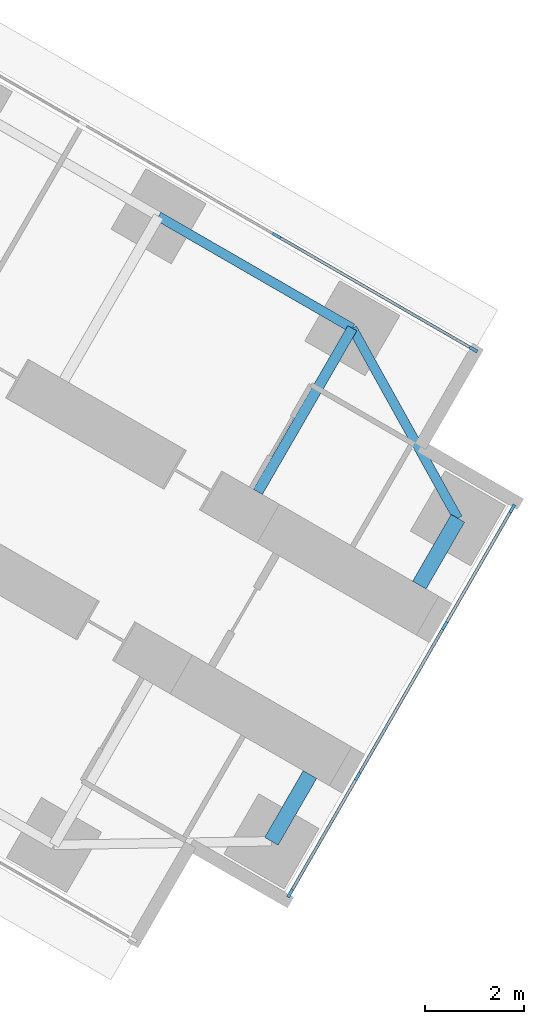
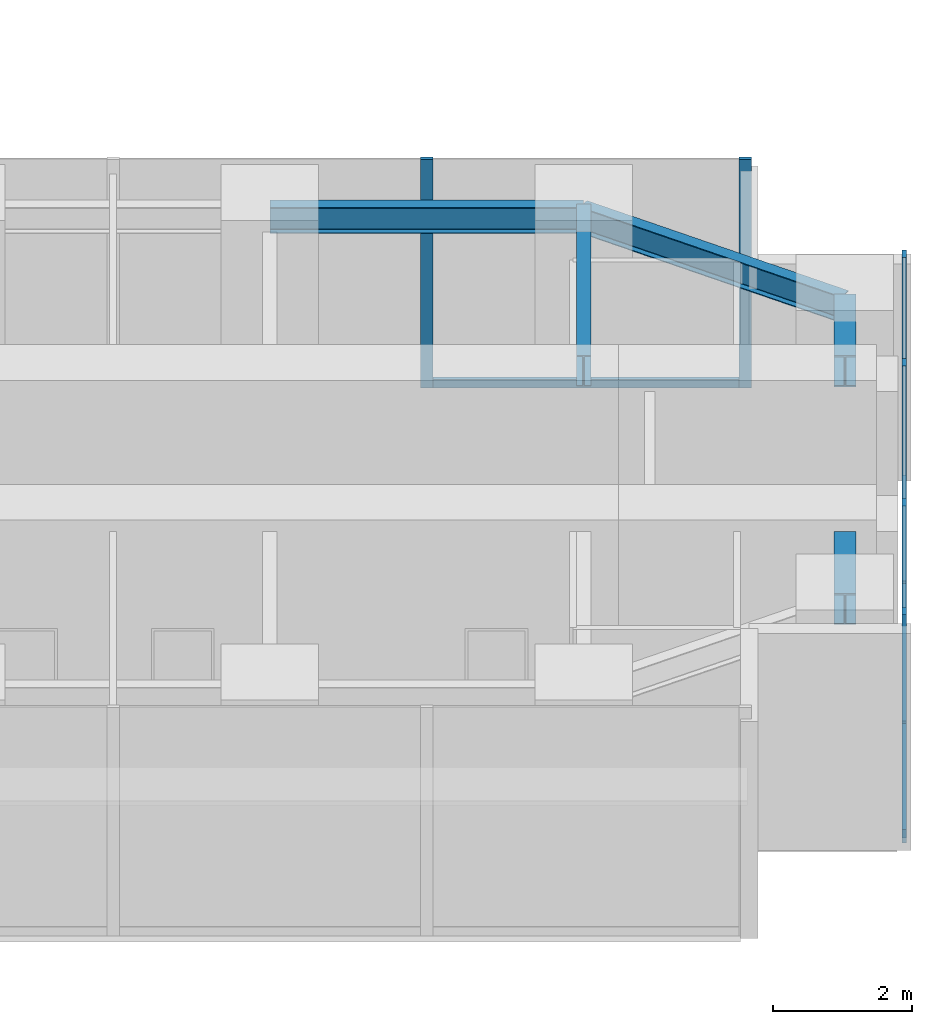
# One storey, part 12 of 25: 10 members, 5 beams, 2 elements without a shape of their own.
"""IFC4 building model written with IfcOpenShell, lengths in metres."""

from ifc_helpers import new_model, si_unit, direction, frame, origin, origin_2d, place, context, subcontext, project, spatial, rectangle, i_section, extrude, material, material_profile, profile_set, type_object, element, aggregate, save


model = new_model("IFC4")

# Units and contexts
model_context = context("Model", 3, precision=1e-05, world=origin(), true_north=direction((0.0, 1.0)))
body_context = subcontext(model_context, "Body", "Model", "MODEL_VIEW")
ifc_project = project(units=[si_unit("LENGTHUNIT", "METRE"), si_unit("AREAUNIT", "SQUARE_METRE"), si_unit("VOLUMEUNIT", "CUBIC_METRE"), si_unit("PLANEANGLEUNIT", "RADIAN"), si_unit("MASSUNIT", "GRAM", prefix="KILO")], contexts=[model_context])

# Site, building, storey
site_placement = place(None, origin())
site = spatial("IfcSite", under=ifc_project, at=site_placement, CompositionType="ELEMENT")
building_placement = place(site_placement, origin())
building = spatial("IfcBuilding", under=site, at=building_placement, Name="Upepo Twin Towers", CompositionType="ELEMENT")
storey_placement = place(building_placement, frame((0.0, 0.0, 72.5)))
storey = spatial("IfcBuildingStorey", under=building, at=storey_placement, Name="L17", CompositionType="ELEMENT", Elevation=72.5)

# Beams
ifc_material_1 = material(Name="Steel S355", Category="steel")
ifc_material_profile_1 = material_profile(ifc_material_1, i_section(OverallWidth=0.1904296875, OverallDepth=0.45703125, WebThickness=0.009033203125, FlangeThickness=0.014404296875, FilletRadius=0.01025390625, at=origin_2d()), Name="UB 457x191x74")
ifc_profile_set_1 = profile_set([ifc_material_profile_1], Name="Steel S355")
beam_type_1 = type_object("IfcBeamType", Name="Beam UB 457x191x74", PredefinedType="BEAM", material=ifc_profile_set_1)
beam_1_placement = place(storey_placement, frame((77.08837890625, -21.803955078125, 3.571533203125), z_axis=(0.866031096941, -0.499990139034, 0.0), x_axis=(0.499990139034, 0.866031096941, 0.0)))
element("IfcBeam", 1, at=beam_1_placement, inside=storey, type_object=beam_type_1, Name="T2 edge beam CL 18.0-22.5", PredefinedType="BEAM", context=body_context, shape_type="SweptSolid", body=[
    extrude(i_section(OverallWidth=0.1904296875, OverallDepth=0.45703125, WebThickness=0.009033203125, FlangeThickness=0.014404296875, FilletRadius=0.01025390625, at=origin_2d()), origin(), (0.0, 0.0, 1.0), 4.5),
])
beam_2_placement = place(storey_placement, frame((80.985595703125, -24.053955078125, 3.571533203125), z_axis=(0.485363242752, -0.874312600038, 0.0), x_axis=(0.874312600038, 0.485363242752, 0.0)))
element("IfcBeam", 2, at=beam_2_placement, inside=storey, type_object=beam_type_1, Name="T2 nose edge beam CL", PredefinedType="BEAM", context=body_context, shape_type="SweptSolid", body=[
    extrude(i_section(OverallWidth=0.1904296875, OverallDepth=0.45703125, WebThickness=0.009033203125, FlangeThickness=0.014404296875, FilletRadius=0.01025390625, at=origin_2d()), origin(), (0.0, 0.0, 1.0), 4.373046875),
])
ifc_material_2 = material(Name="Steel S355", Category="steel")
ifc_material_profile_2 = material_profile(ifc_material_2, i_section(OverallWidth=0.209228515625, OverallDepth=0.533203125, WebThickness=0.010009765625, FlangeThickness=0.015625, FilletRadius=0.0126953125, at=origin_2d()), Name="UB 533x210x92")
ifc_profile_set_2 = profile_set([ifc_material_profile_2], Name="Steel S355")
beam_type_2 = type_object("IfcBeamType", Name="Beam UB 533x210x92", PredefinedType="BEAM", material=ifc_profile_set_2)
beam_3_placement = place(storey_placement, frame((80.985595703125, -24.053955078125, 3.533447265625), z_axis=(-0.499994975061, -0.866028304915, 0.0), x_axis=(0.866028304915, -0.499994975061, 0.0)))
element("IfcBeam", 3, at=beam_3_placement, inside=storey, type_object=beam_type_2, Name="T2 girder CL at 22.5", PredefinedType="BEAM", context=body_context, shape_type="SweptSolid", body=[
    extrude(i_section(OverallWidth=0.209228515625, OverallDepth=0.533203125, WebThickness=0.010009765625, FlangeThickness=0.015625, FilletRadius=0.0126953125, at=origin_2d()), origin(), (0.0, 0.0, 1.0), 3.7998046875),
])
ifc_material_3 = material(Name="Steel S355", Category="steel")
ifc_material_profile_3 = material_profile(ifc_material_3, i_section(OverallWidth=0.31201171875, OverallDepth=0.54345703125, WebThickness=0.0126953125, FlangeThickness=0.020263671875, FilletRadius=0.0126953125, at=origin_2d()), Name="UB 533x312x150")
ifc_profile_set_3 = profile_set([ifc_material_profile_3], Name="Steel S355")
beam_type_3 = type_object("IfcBeamType", Name="Beam UB 533x312x150", PredefinedType="BEAM", material=ifc_profile_set_3)
for number, where, z_axis, x_axis, name in (
    (4, (83.108154296875, -27.87744140625, 3.5283203125), (-0.499967891604, -0.866043940782, 0.0), (0.866043940782, -0.499967891604, 0.0), "T2 nose beam CL"),
    (5, (79.358154296875, -34.37255859375, 3.5283203125), (0.499967891604, 0.866043940782, 0.0), (-0.866043940782, 0.499967891604, 0.0), "T2 nose beam CR"),
):
    element("IfcBeam", number, at=place(storey_placement, frame(where, z_axis=z_axis, x_axis=x_axis)), inside=storey, type_object=beam_type_3, Name=name, PredefinedType="BEAM", context=body_context, shape_type="SweptSolid", body=[
        extrude(i_section(OverallWidth=0.31201171875, OverallDepth=0.54345703125, WebThickness=0.0126953125, FlangeThickness=0.020263671875, FilletRadius=0.0126953125, at=origin_2d()), origin(), (0.0, 0.0, 1.0), 1.5498046875),
    ])

# Curtain wall, members
ifc_material_4 = material(Name="Aluminium and fritted glass", Category="aluminium")
curtain_wall_type = type_object("IfcCurtainWallType", Name="Tower curtain wall TW1, fritted glass", PredefinedType="NOTDEFINED", material=ifc_material_4)
curtain_wall_1_placement = place(storey_placement, origin())
curtain_wall_1 = element("IfcCurtainWall", 6, at=curtain_wall_1_placement, inside=storey, type_object=curtain_wall_type, Name="T2 L17 wing C flank L curtain wall", PredefinedType="NOTDEFINED")
ifc_material_5 = material(Name="Aluminium mullion", Category="aluminium")
ifc_material_profile_4 = material_profile(ifc_material_5, rectangle(XDim=0.06494140625, YDim=0.179931640625, at=origin_2d()), Name="MULLION 65x180")
ifc_profile_set_4 = profile_set([ifc_material_profile_4], Name="Aluminium mullion")
member_type_1 = type_object("IfcMemberType", Name="Mullion 65x180 TW1", PredefinedType="MULLION", material=ifc_profile_set_4)
member_1_placement = place(storey_placement, frame((79.4619140625, -22.192626953125, 0.0), z_axis=(0.0, 0.0, 1.0), x_axis=(0.500000024426, 0.866025389682, 0.0)))
member_1 = element("IfcMember", 7, at=member_1_placement, type_object=member_type_1, Name="T2 L17 wing C flank L curtain wall mullion 3", PredefinedType="MULLION", context=body_context, shape_type="SweptSolid", body=[
    extrude(rectangle(XDim=0.06494140625, YDim=0.179931640625, at=origin_2d()), origin(), (0.0, 0.0, 1.0), 4.0),
])
member_2_placement = place(storey_placement, frame((83.41748046875, -24.4765625, 0.0), z_axis=(0.0, 0.0, 1.0), x_axis=(0.500000024426, 0.866025389682, 0.0)))
member_2 = element("IfcMember", 8, at=member_2_placement, type_object=member_type_1, Name="T2 L17 wing C flank L curtain wall mullion 4", PredefinedType="MULLION", context=body_context, shape_type="SweptSolid", body=[
    extrude(rectangle(XDim=0.06494140625, YDim=0.179931640625, at=origin_2d()), origin(), (0.0, 0.0, 1.0), 4.0),
])

curtain_wall_2_placement = place(storey_placement, origin())
curtain_wall_2 = element("IfcCurtainWall", 9, at=curtain_wall_2_placement, inside=storey, type_object=curtain_wall_type, Name="T2 L17 wing C nose curtain wall", PredefinedType="NOTDEFINED")
member_3_placement = place(storey_placement, frame((79.735595703125, -35.4189453125, 0.0), z_axis=(0.0, 0.0, 1.0), x_axis=(-0.866025386174, 0.500000030502, 0.0)))
member_3 = element("IfcMember", 10, at=member_3_placement, type_object=member_type_1, Name="T2 L17 wing C nose curtain wall mullion 1", PredefinedType="MULLION", context=body_context, shape_type="SweptSolid", body=[
    extrude(rectangle(XDim=0.06494140625, YDim=0.179931640625, at=origin_2d()), origin(), (0.0, 0.0, 1.0), 4.0),
])
member_4_placement = place(storey_placement, frame((81.09423828125, -33.0654296875, 0.0), z_axis=(0.0, 0.0, 1.0), x_axis=(-0.866025386174, 0.500000030502, 0.0)))
member_4 = element("IfcMember", 11, at=member_4_placement, type_object=member_type_1, Name="T2 L17 wing C nose curtain wall mullion 2", PredefinedType="MULLION", context=body_context, shape_type="SweptSolid", body=[
    extrude(rectangle(XDim=0.06494140625, YDim=0.179931640625, at=origin_2d()), origin(), (0.0, 0.0, 1.0), 4.0),
])
member_5_placement = place(storey_placement, frame((82.84423828125, -30.034423828125, 0.0), z_axis=(0.0, 0.0, 1.0), x_axis=(-0.866025386174, 0.500000030502, 0.0)))
member_5 = element("IfcMember", 12, at=member_5_placement, type_object=member_type_1, Name="T2 L17 wing C nose curtain wall mullion 3", PredefinedType="MULLION", context=body_context, shape_type="SweptSolid", body=[
    extrude(rectangle(XDim=0.06494140625, YDim=0.179931640625, at=origin_2d()), origin(), (0.0, 0.0, 1.0), 4.0),
])
member_6_placement = place(storey_placement, frame((84.203125, -27.68115234375, 0.0), z_axis=(0.0, 0.0, 1.0), x_axis=(-0.866025386174, 0.500000030502, 0.0)))
member_6 = element("IfcMember", 13, at=member_6_placement, type_object=member_type_1, Name="T2 L17 wing C nose curtain wall mullion 4", PredefinedType="MULLION", context=body_context, shape_type="SweptSolid", body=[
    extrude(rectangle(XDim=0.06494140625, YDim=0.179931640625, at=origin_2d()), origin(), (0.0, 0.0, 1.0), 4.0),
])

# Member
ifc_material_6 = material(Name="Aluminium transom", Category="aluminium")
ifc_material_profile_5 = material_profile(ifc_material_6, rectangle(XDim=0.06494140625, YDim=0.14990234375, at=origin_2d()), Name="TRANSOM 65x150")
ifc_profile_set_5 = profile_set([ifc_material_profile_5], Name="Aluminium transom")
member_type_2 = type_object("IfcMemberType", Name="Transom 65x150 TW1", PredefinedType="USERDEFINED", material=ifc_profile_set_5)
member_7_placement = place(storey_placement, frame((79.490234375, -22.208984375, 0.074951171875), z_axis=(0.866022143554, -0.500005646842, 0.0), x_axis=(0.500005646842, 0.866022143554, 0.0)))
member_7 = element("IfcMember", 14, at=member_7_placement, type_object=member_type_2, Name="T2 L17 wing C flank L curtain wall transom 3", ObjectType="TRANSOM", PredefinedType="USERDEFINED", context=body_context, shape_type="SweptSolid", body=[
    extrude(rectangle(XDim=0.06494140625, YDim=0.14990234375, at=origin_2d()), origin(), (0.0, 0.0, 1.0), 4.50244140625),
])

aggregate(curtain_wall_1, [member_1, member_2, member_7])

member_8_placement = place(storey_placement, frame((79.751708984375, -35.390869140625, 0.074951171875), z_axis=(0.500049101008, 0.865997053448, 0.0), x_axis=(-0.865997053448, 0.500049101008, 0.0)))
member_8 = element("IfcMember", 15, at=member_8_placement, type_object=member_type_2, Name="T2 L17 wing C nose curtain wall transom 1", ObjectType="TRANSOM", PredefinedType="USERDEFINED", context=body_context, shape_type="SweptSolid", body=[
    extrude(rectangle(XDim=0.06494140625, YDim=0.14990234375, at=origin_2d()), origin(), (0.0, 0.0, 1.0), 2.652587890625),
])

member_9_placement = place(storey_placement, frame((81.110595703125, -33.037353515625, 0.074951171875), z_axis=(0.499999305434, 0.866025804792, 0.0), x_axis=(-0.866025804792, 0.499999305434, 0.0)))
member_9 = element("IfcMember", 16, at=member_9_placement, type_object=member_type_2, Name="T2 L17 wing C nose curtain wall transom 2", ObjectType="TRANSOM", PredefinedType="USERDEFINED", context=body_context, shape_type="SweptSolid", body=[
    extrude(rectangle(XDim=0.06494140625, YDim=0.14990234375, at=origin_2d()), origin(), (0.0, 0.0, 1.0), 3.43505859375),
])

member_10_placement = place(storey_placement, frame((82.860595703125, -30.00634765625, 0.074951171875), z_axis=(0.499980071345, 0.866036909293, 0.0), x_axis=(-0.866036909293, 0.499980071345, 0.0)))
member_10 = element("IfcMember", 17, at=member_10_placement, type_object=member_type_2, Name="T2 L17 wing C nose curtain wall transom 3", ObjectType="TRANSOM", PredefinedType="USERDEFINED", context=body_context, shape_type="SweptSolid", body=[
    extrude(rectangle(XDim=0.06494140625, YDim=0.14990234375, at=origin_2d()), origin(), (0.0, 0.0, 1.0), 2.65234375),
])

aggregate(curtain_wall_2, [member_3, member_4, member_5, member_6, member_8, member_9, member_10])

save(model, "model.ifc")
